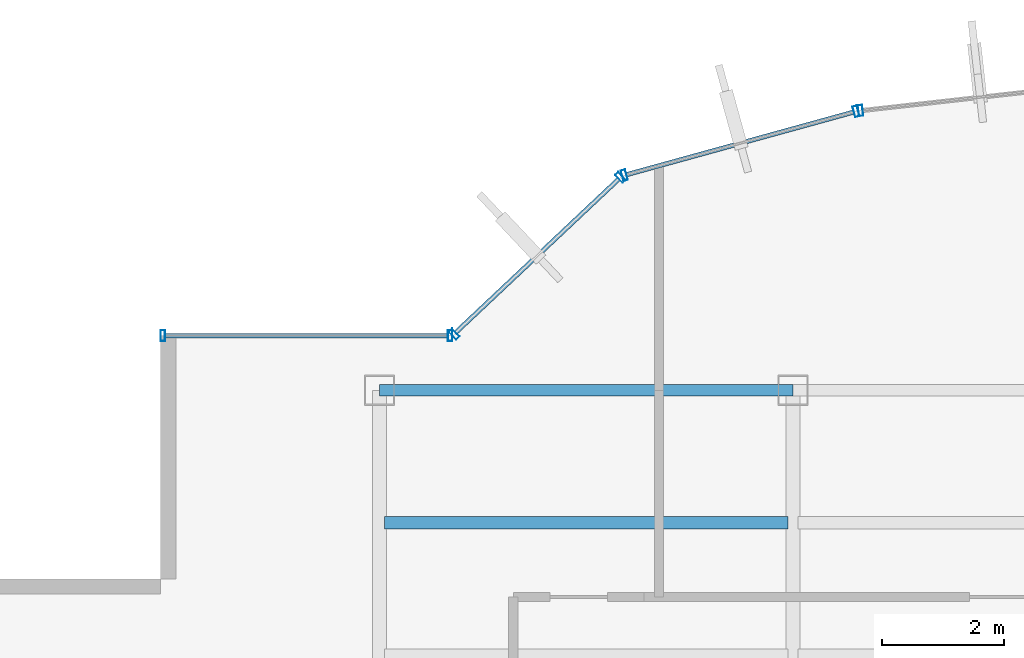
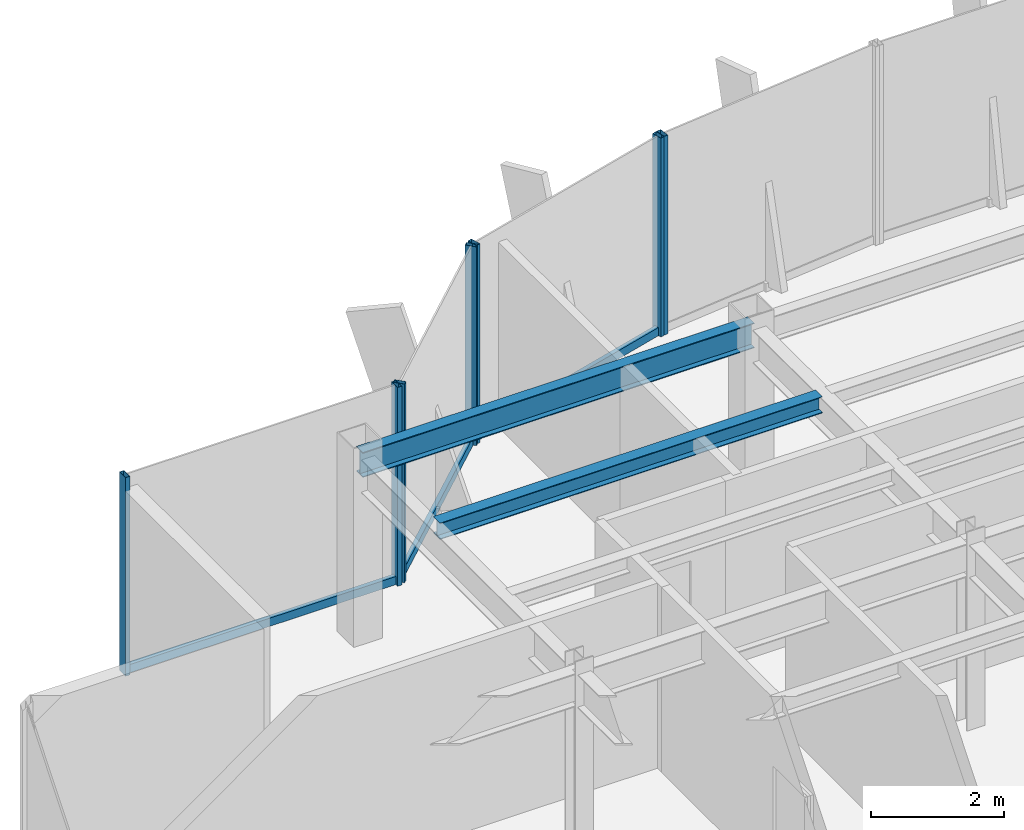
# One storey, part 12 of 22: 10 members, 2 beams, 4 elements without a shape of their own.
"""IFC4 building model written with IfcOpenShell, lengths in metres."""

from ifc_helpers import new_model, si_unit, derived_unit, direction, frame, origin, origin_2d, place, context, subcontext, project, spatial, hollow_rectangle, i_section, extrude, source, transform, mapped, material, material_profile, profile_set, type_object, element, aggregate, save


model = new_model("IFC4")

# Units and contexts
model_context = context("Model", 3, precision=1e-05, world=origin(), true_north=direction((0.0, 1.0)))
body_context = subcontext(model_context, "Body", "Model", "MODEL_VIEW")
ifc_project = project(units=[si_unit("LENGTHUNIT", "METRE"), si_unit("AREAUNIT", "SQUARE_METRE"), si_unit("VOLUMEUNIT", "CUBIC_METRE"), si_unit("PLANEANGLEUNIT", "RADIAN"), si_unit("MASSUNIT", "GRAM", prefix="KILO"), derived_unit("THERMALTRANSMITTANCEUNIT", [(si_unit("POWERUNIT", "WATT"), 1), (si_unit("LENGTHUNIT", "METRE"), -2), (si_unit("THERMODYNAMICTEMPERATUREUNIT", "KELVIN"), -1)])], contexts=[model_context])

# Site, building, storey
site_placement = place(None, origin())
site = spatial("IfcSite", under=ifc_project, at=site_placement, CompositionType="ELEMENT")
building_placement = place(site_placement, origin())
building = spatial("IfcBuilding", under=site, at=building_placement, Name="Skarnbrae Concourse Arena and Tower", CompositionType="ELEMENT")
storey_placement = place(building_placement, frame((0.0, 0.0, 277.050048828125)))
storey = spatial("IfcBuildingStorey", under=building, at=storey_placement, Name="L72", CompositionType="ELEMENT", Elevation=277.050048828125)

# Beams
ifc_material_1 = material(Name="Steel CSA G40.21 350W", Category="steel")
ifc_material_profile_1 = material_profile(ifc_material_1, i_section(OverallWidth=0.19091796875, OverallDepth=0.4599609375, WebThickness=0.010009765625, FlangeThickness=0.01611328125, at=origin_2d()), Name="W460X82")
ifc_profile_set_1 = profile_set([ifc_material_profile_1], Name="Steel CSA G40.21 350W")
beam_type_1 = type_object("IfcBeamType", Name="BM-SPAN-W460X82", PredefinedType="SPANDREL", material=ifc_profile_set_1)
shared_shape_1 = source(origin(), body_context, "Body", "SweptSolid", [
    extrude(i_section(OverallWidth=0.19091796875, OverallDepth=0.4599609375, WebThickness=0.010009765625, FlangeThickness=0.01611328125, at=origin_2d()), origin(), (0.0, 0.0, 1.0), 6.7998046875),
])
beam_1_placement = place(storey_placement, frame((7.60009765625, 34.39990234375, 3.169921875), z_axis=(1.0, 0.0, 0.0), x_axis=(0.0, 1.0, 0.0)))
element("IfcBeam", 1, at=beam_1_placement, inside=storey, type_object=beam_type_1, Name="L72 Perimeter spandrel Y34.4-1", PredefinedType="SPANDREL", context=body_context, shape_type="MappedRepresentation", body=[
    mapped(shared_shape_1, transform((0.0, 0.0, 0.0))),
])
ifc_material_profile_2 = material_profile(ifc_material_1, i_section(OverallWidth=0.202880859375, OverallDepth=0.302978515625, WebThickness=0.007568359375, FlangeThickness=0.01318359375, at=origin_2d()), Name="W310X60")
ifc_profile_set_2 = profile_set([ifc_material_profile_2], Name="Steel CSA G40.21 350W")
beam_type_2 = type_object("IfcBeamType", Name="BM-JOIST-W310X60", PredefinedType="JOIST", material=ifc_profile_set_2)
shared_shape_2 = source(origin(), body_context, "Body", "SweptSolid", [
    extrude(i_section(OverallWidth=0.202880859375, OverallDepth=0.302978515625, WebThickness=0.007568359375, FlangeThickness=0.01318359375, at=origin_2d()), origin(), (0.0, 0.0, 1.0), 6.64013671875),
])
beam_2_placement = place(storey_placement, frame((7.679931640625, 32.221923828125, 3.24853515625), z_axis=(1.0, 0.0, 0.0), x_axis=(0.0, 1.0, 0.0)))
element("IfcBeam", 2, at=beam_2_placement, inside=storey, type_object=beam_type_2, Name="L72 Secondary floor joist 3.2.1", PredefinedType="JOIST", context=body_context, shape_type="MappedRepresentation", body=[
    mapped(shared_shape_2, transform((0.0, 0.0, 0.0))),
])

# Curtain wall, member
ifc_material_2 = material(Name="Bronze anodised aluminium 6063-T6", Category="aluminium")
curtain_wall_type = type_object("IfcCurtainWallType", Name="CW-SYS-05-HIGHZONE", PredefinedType="USERDEFINED", material=ifc_material_2)
curtain_wall_1_placement = place(storey_placement, origin())
curtain_wall_1 = element("IfcCurtainWall", 3, at=curtain_wall_1_placement, inside=storey, type_object=curtain_wall_type, Name="L72 Unitised curtain wall CW-L72-E12", ObjectType="UNITISED CURTAIN WALL", PredefinedType="USERDEFINED")
ifc_material_profile_3 = material_profile(ifc_material_2, hollow_rectangle(XDim=0.074951171875, YDim=0.179931640625, WallThickness=0.00390625, at=origin_2d()), Name="ALU-MULL-75X180")
ifc_profile_set_3 = profile_set([ifc_material_profile_3], Name="Bronze anodised aluminium 6063-T6")
member_type_1 = type_object("IfcMemberType", Name="CWM-CW-05", PredefinedType="MULLION", material=ifc_profile_set_3)
shared_shape_3 = source(origin(), body_context, "Body", "SweptSolid", [
    extrude(hollow_rectangle(XDim=0.074951171875, YDim=0.179931640625, WallThickness=0.00390625, at=origin_2d()), origin(), (0.0, 0.0, 1.0), 3.64990234375),
])
member_1_placement = place(storey_placement, frame((15.511474609375, 39.001220703125, 0.0), z_axis=(0.0, 0.0, 1.0), x_axis=(-0.993768891873, -0.111460259941, 0.0)))
member_1 = element("IfcMember", 4, at=member_1_placement, type_object=member_type_1, Name="CW-L72-E12 Mullion 2", PredefinedType="MULLION", context=body_context, shape_type="MappedRepresentation", body=[
    mapped(shared_shape_3, transform((0.0, 0.0, 0.0))),
])
aggregate(curtain_wall_1, [member_1])

# Curtain wall, members
curtain_wall_2_placement = place(storey_placement, origin())
curtain_wall_2 = element("IfcCurtainWall", 5, at=curtain_wall_2_placement, inside=storey, type_object=curtain_wall_type, Name="L72 Unitised curtain wall CW-L72-E13", ObjectType="UNITISED CURTAIN WALL", PredefinedType="USERDEFINED")
member_2_placement = place(storey_placement, frame((15.43798828125, 38.987060546875, 0.0), z_axis=(0.0, 0.0, 1.0), x_axis=(-0.964057388766, -0.265694093207, 0.0)))
member_2 = element("IfcMember", 6, at=member_2_placement, type_object=member_type_1, Name="CW-L72-E13 Mullion 1", PredefinedType="MULLION", context=body_context, shape_type="MappedRepresentation", body=[
    mapped(shared_shape_3, transform((0.0, 0.0, 0.0))),
])
member_3_placement = place(storey_placement, frame((11.62646484375, 37.936767578125, 0.0), z_axis=(0.0, 0.0, 1.0), x_axis=(-0.964057388766, -0.265694093207, 0.0)))
member_3 = element("IfcMember", 7, at=member_3_placement, type_object=member_type_1, Name="CW-L72-E13 Mullion 2", PredefinedType="MULLION", context=body_context, shape_type="MappedRepresentation", body=[
    mapped(shared_shape_3, transform((0.0, 0.0, 0.0))),
])

curtain_wall_3_placement = place(storey_placement, origin())
curtain_wall_3 = element("IfcCurtainWall", 8, at=curtain_wall_3_placement, inside=storey, type_object=curtain_wall_type, Name="L72 Unitised curtain wall CW-L72-E14", ObjectType="UNITISED CURTAIN WALL", PredefinedType="USERDEFINED")
member_4_placement = place(storey_placement, frame((11.56298828125, 37.90087890625, 0.0), z_axis=(0.0, 0.0, 1.0), x_axis=(-0.728130555214, -0.685438468838, 0.0)))
member_4 = element("IfcMember", 9, at=member_4_placement, type_object=member_type_1, Name="CW-L72-E14 Mullion 1", PredefinedType="MULLION", context=body_context, shape_type="MappedRepresentation", body=[
    mapped(shared_shape_3, transform((0.0, 0.0, 0.0))),
])
member_5_placement = place(storey_placement, frame((8.827392578125, 35.32568359375, 0.0), z_axis=(0.0, 0.0, 1.0), x_axis=(-0.728130555214, -0.685438468838, 0.0)))
member_5 = element("IfcMember", 10, at=member_5_placement, type_object=member_type_1, Name="CW-L72-E14 Mullion 2", PredefinedType="MULLION", context=body_context, shape_type="MappedRepresentation", body=[
    mapped(shared_shape_3, transform((0.0, 0.0, 0.0))),
])

curtain_wall_4_placement = place(storey_placement, origin())
curtain_wall_4 = element("IfcCurtainWall", 11, at=curtain_wall_4_placement, inside=storey, type_object=curtain_wall_type, Name="L72 Unitised curtain wall CW-L72-E15", ObjectType="UNITISED CURTAIN WALL", PredefinedType="USERDEFINED")
member_6_placement = place(storey_placement, frame((8.762451171875, 35.300048828125, 0.0), z_axis=(0.0, 0.0, 1.0), x_axis=(-1.0, 0.0, 0.0)))
member_6 = element("IfcMember", 12, at=member_6_placement, type_object=member_type_1, Name="CW-L72-E15 Mullion 1", PredefinedType="MULLION", context=body_context, shape_type="MappedRepresentation", body=[
    mapped(shared_shape_3, transform((0.0, 0.0, 0.0))),
])
member_7_placement = place(storey_placement, frame((4.03759765625, 35.300048828125, 0.0), z_axis=(0.0, 0.0, 1.0), x_axis=(-1.0, 0.0, 0.0)))
member_7 = element("IfcMember", 13, at=member_7_placement, type_object=member_type_1, Name="CW-L72-E15 Mullion 2", PredefinedType="MULLION", context=body_context, shape_type="MappedRepresentation", body=[
    mapped(shared_shape_3, transform((0.0, 0.0, 0.0))),
])
ifc_material_profile_4 = material_profile(ifc_material_2, hollow_rectangle(XDim=0.074951171875, YDim=0.14990234375, WallThickness=0.00390625, at=origin_2d()), Name="ALU-TRAN-75X150")
ifc_profile_set_4 = profile_set([ifc_material_profile_4], Name="Bronze anodised aluminium 6063-T6")
member_type_2 = type_object("IfcMemberType", Name="CWT-CW-05", PredefinedType="USERDEFINED", material=ifc_profile_set_4)
shared_shape_4 = source(origin(), body_context, "Body", "SweptSolid", [
    extrude(hollow_rectangle(XDim=0.074951171875, YDim=0.14990234375, WallThickness=0.00390625, at=origin_2d()), origin(), (0.0, 0.0, 1.0), 4.650146484375),
])
member_8_placement = place(storey_placement, frame((8.72509765625, 35.300048828125, 0.074951171875), z_axis=(-1.0, 0.0, 0.0), x_axis=(0.0, -1.0, 0.0)))
member_8 = element("IfcMember", 14, at=member_8_placement, type_object=member_type_2, Name="CW-L72-E15 Transom 1", ObjectType="TRANSOM", PredefinedType="USERDEFINED", context=body_context, shape_type="MappedRepresentation", body=[
    mapped(shared_shape_4, transform((0.0, 0.0, 0.0))),
])
aggregate(curtain_wall_4, [member_6, member_7, member_8])

# Member
shared_shape_5 = source(origin(), body_context, "Body", "SweptSolid", [
    extrude(hollow_rectangle(XDim=0.074951171875, YDim=0.14990234375, WallThickness=0.00390625, at=origin_2d()), origin(), (0.0, 0.0, 1.0), 3.68212890625),
])
member_9_placement = place(storey_placement, frame((11.53564453125, 37.875244140625, 0.074951171875), z_axis=(-0.728133808476, -0.685435012933, 0.0), x_axis=(0.685435012933, -0.728133808476, 0.0)))
member_9 = element("IfcMember", 15, at=member_9_placement, type_object=member_type_2, Name="CW-L72-E14 Transom 1", ObjectType="TRANSOM", PredefinedType="USERDEFINED", context=body_context, shape_type="MappedRepresentation", body=[
    mapped(shared_shape_5, transform((0.0, 0.0, 0.0))),
])

aggregate(curtain_wall_3, [member_4, member_5, member_9])

shared_shape_6 = source(origin(), body_context, "Body", "SweptSolid", [
    extrude(hollow_rectangle(XDim=0.074951171875, YDim=0.14990234375, WallThickness=0.00390625, at=origin_2d()), origin(), (0.0, 0.0, 1.0), 3.878662109375),
])
member_10_placement = place(storey_placement, frame((15.40185546875, 38.977294921875, 0.074951171875), z_axis=(-0.964042677713, -0.265747465742, 0.0), x_axis=(0.265747465742, -0.964042677713, 0.0)))
member_10 = element("IfcMember", 16, at=member_10_placement, type_object=member_type_2, Name="CW-L72-E13 Transom 1", ObjectType="TRANSOM", PredefinedType="USERDEFINED", context=body_context, shape_type="MappedRepresentation", body=[
    mapped(shared_shape_6, transform((0.0, 0.0, 0.0))),
])

aggregate(curtain_wall_2, [member_2, member_3, member_10])

save(model, "model.ifc")
